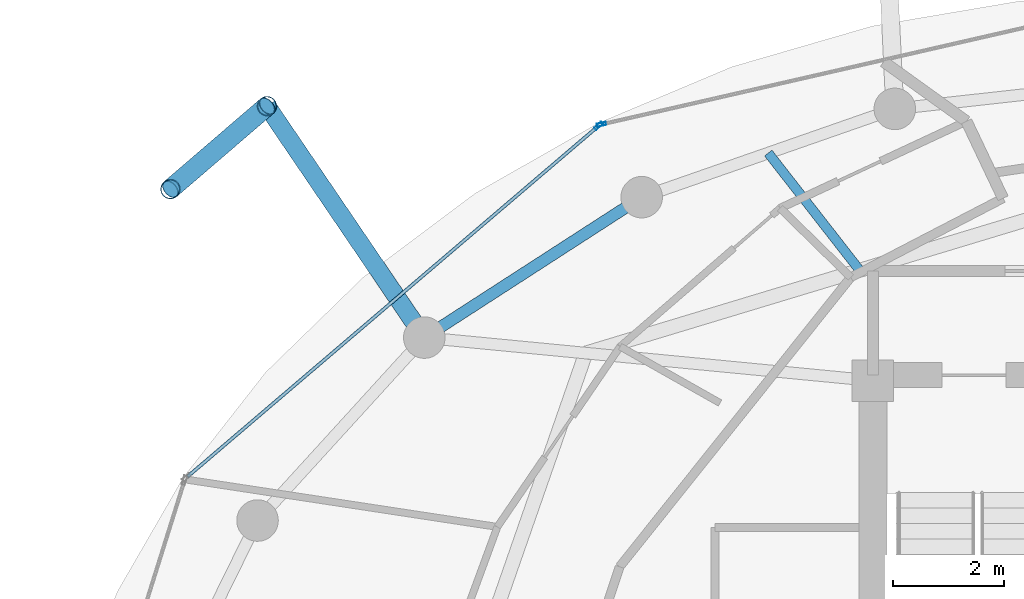
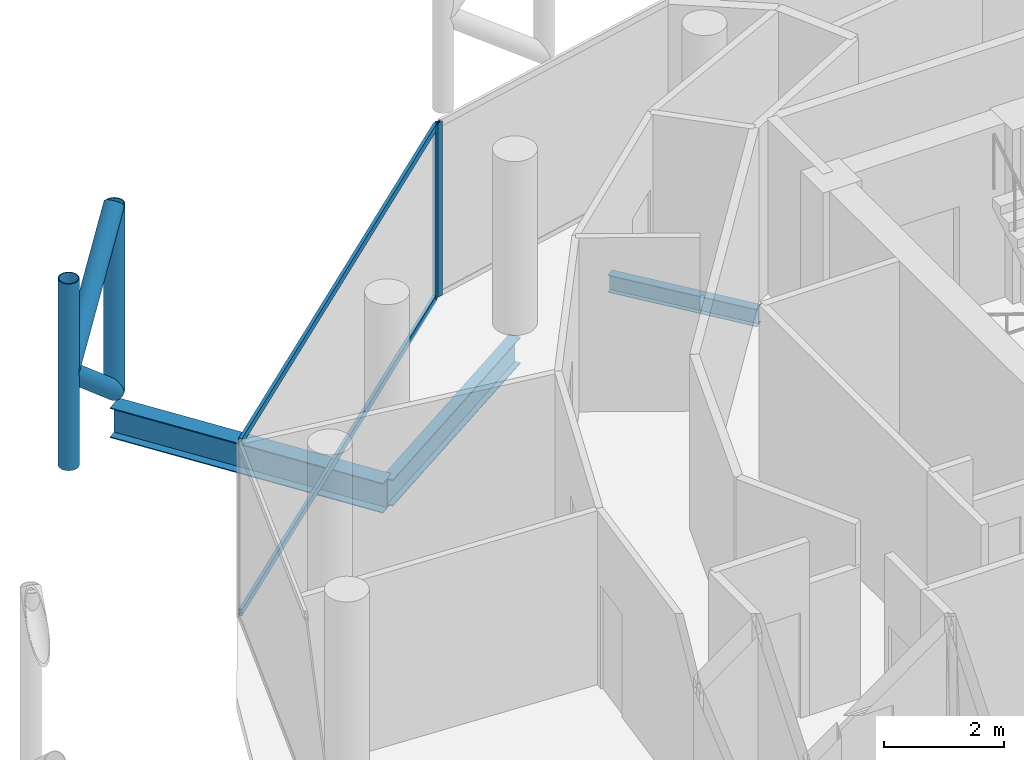
# One storey, part 15 of 24: 8 members, 3 beams, 2 elements without a shape of their own.
"""IFC4 building model written with IfcOpenShell, lengths in metres."""

from ifc_helpers import new_model, si_unit, direction, frame, origin, origin_2d, place, context, subcontext, project, spatial, hollow_rectangle, hollow_circle, i_section, extrude, material, layer, layer_set, material_profile, profile_set, type_object, element, aggregate, save


model = new_model("IFC4")

# Units and contexts
model_context = context("Model", 3, precision=1e-05, world=origin(), true_north=direction((0.0, 1.0)))
body_context = subcontext(model_context, "Body", "Model", "MODEL_VIEW")
ifc_project = project(units=[si_unit("LENGTHUNIT", "METRE"), si_unit("AREAUNIT", "SQUARE_METRE"), si_unit("VOLUMEUNIT", "CUBIC_METRE"), si_unit("PLANEANGLEUNIT", "RADIAN"), si_unit("MASSUNIT", "GRAM", prefix="KILO")], contexts=[model_context])

# Site, building, storey
site_placement = place(None, origin())
site = spatial("IfcSite", under=ifc_project, at=site_placement, CompositionType="ELEMENT")
building_placement = place(site_placement, origin())
building = spatial("IfcBuilding", under=site, at=building_placement, Name="Nuhasar Tower", CompositionType="ELEMENT")
storey_placement = place(building_placement, frame((0.0, 0.0, 286.0)))
storey = spatial("IfcBuildingStorey", under=building, at=storey_placement, Name="L71", CompositionType="ELEMENT", Elevation=286.0)

# Beams
ifc_material_1 = material(Name="Steel S355", Category="steel")
ifc_material_profile_1 = material_profile(ifc_material_1, i_section(OverallWidth=0.1708984375, OverallDepth=0.35205078125, WebThickness=0.0068359375, FlangeThickness=0.009765625, at=origin_2d()), Name="W14X30")
ifc_profile_set_1 = profile_set([ifc_material_profile_1], Name="Steel S355")
beam_type_1 = type_object("IfcBeamType", Name="BM-JST-W14X30", PredefinedType="JOIST", material=ifc_profile_set_1)
beam_1_placement = place(storey_placement, frame((33.4609375, 39.29296875, -0.43603515625), z_axis=(-0.614953767351, 0.788563164256, 0.0), x_axis=(-0.788563164256, -0.614953767351, 0.0)))
element("IfcBeam", 1, at=beam_1_placement, inside=storey, type_object=beam_type_1, Name="L71 Secondary Floor Joist 06", PredefinedType="JOIST", context=body_context, shape_type="SweptSolid", body=[
    extrude(i_section(OverallWidth=0.1708984375, OverallDepth=0.35205078125, WebThickness=0.0068359375, FlangeThickness=0.009765625, at=origin_2d()), origin(), (0.0, 0.0, 1.0), 2.6845703125),
])
ifc_material_profile_2 = material_profile(ifc_material_1, i_section(OverallWidth=0.2099609375, OverallDepth=0.537109375, WebThickness=0.010986328125, FlangeThickness=0.017333984375, at=origin_2d()), Name="W21X68")
ifc_profile_set_2 = profile_set([ifc_material_profile_2], Name="Steel S355")
beam_type_2 = type_object("IfcBeamType", Name="BM-RING-W21X68", PredefinedType="SPANDREL", material=ifc_profile_set_2)
beam_2_placement = place(storey_placement, frame((29.52490234375, 40.613037109375, -0.529052734375), z_axis=(-0.840001671147, -0.54258381147, 0.0), x_axis=(0.54258381147, -0.840001671147, 0.0)))
element("IfcBeam", 2, at=beam_2_placement, inside=storey, type_object=beam_type_2, Name="L71 Perimeter Ring Spandrel 09", PredefinedType="SPANDREL", context=body_context, shape_type="SweptSolid", body=[
    extrude(i_section(OverallWidth=0.2099609375, OverallDepth=0.537109375, WebThickness=0.010986328125, FlangeThickness=0.017333984375, at=origin_2d()), origin(), (0.0, 0.0, 1.0), 4.67236328125),
])
ifc_material_profile_3 = material_profile(ifc_material_1, i_section(OverallWidth=0.323974609375, OverallDepth=0.611083984375, WebThickness=0.0126953125, FlangeThickness=0.01904296875, at=origin_2d()), Name="W24X104")
ifc_profile_set_3 = profile_set([ifc_material_profile_3], Name="Steel S355")
beam_type_3 = type_object("IfcBeamType", Name="BM-TIE-W24X104", PredefinedType="BEAM", material=ifc_profile_set_3)
beam_3_placement = place(storey_placement, frame((25.60009765625, 38.077880859375, -0.56494140625), z_axis=(-0.562070792096, 0.827089127405, 0.0), x_axis=(-0.827089127405, -0.562070792096, 0.0)))
element("IfcBeam", 3, at=beam_3_placement, inside=storey, type_object=beam_type_3, Name="L71 Exoskeleton Node Tie Beam 05", PredefinedType="BEAM", context=body_context, shape_type="SweptSolid", body=[
    extrude(i_section(OverallWidth=0.323974609375, OverallDepth=0.611083984375, WebThickness=0.0126953125, FlangeThickness=0.01904296875, at=origin_2d()), origin(), (0.0, 0.0, 1.0), 5.052978515625),
])

# Curtain wall, member
ifc_material_2 = material(Name="Aluminium 6063-T6", Category="aluminium")
ifc_layer = layer(ifc_material_2, 0.18994140625)
ifc_layer_set = layer_set([ifc_layer], Name="Aluminium 6063-T6")
curtain_wall_type = type_object("IfcCurtainWallType", Name="CW-Z4-PEN", PredefinedType="NOTDEFINED", material=ifc_layer_set)
curtain_wall_1_placement = place(storey_placement, origin())
curtain_wall_1 = element("IfcCurtainWall", 4, at=curtain_wall_1_placement, inside=storey, type_object=curtain_wall_type, Name="L71 Unitised Curtain Wall 04", PredefinedType="NOTDEFINED")
ifc_material_profile_4 = material_profile(ifc_material_2, hollow_rectangle(XDim=0.06005859375, YDim=0.1650390625, WallThickness=0.0048828125, at=origin_2d()), Name="CWM-5")
ifc_profile_set_4 = profile_set([ifc_material_profile_4], Name="Aluminium 6063-T6")
member_type_1 = type_object("IfcMemberType", Name="CW-MUL-S5", PredefinedType="MULLION", material=ifc_profile_set_4)
member_1_placement = place(storey_placement, frame((28.79931640625, 41.927734375, 0.0), z_axis=(0.0, 0.0, 1.0), x_axis=(0.222889487645, -0.97484371891, 0.0)))
member_1 = element("IfcMember", 5, at=member_1_placement, type_object=member_type_1, Name="CW-Z4 mullion 2", PredefinedType="MULLION", context=body_context, shape_type="SweptSolid", body=[
    extrude(hollow_rectangle(XDim=0.06005859375, YDim=0.1650390625, WallThickness=0.0048828125, at=origin_2d()), origin(), (0.0, 0.0, 1.0), 3.5400390625),
])
aggregate(curtain_wall_1, [member_1])

# Curtain wall, members
curtain_wall_2_placement = place(storey_placement, origin())
curtain_wall_2 = element("IfcCurtainWall", 6, at=curtain_wall_2_placement, inside=storey, type_object=curtain_wall_type, Name="L71 Unitised Curtain Wall 05", PredefinedType="NOTDEFINED")
member_2_placement = place(storey_placement, frame((28.7470703125, 41.901611328125, 0.0), z_axis=(0.0, 0.0, 1.0), x_axis=(0.649141996205, -0.760667252327, 0.0)))
member_2 = element("IfcMember", 7, at=member_2_placement, type_object=member_type_1, Name="CW-Z4 mullion 1", PredefinedType="MULLION", context=body_context, shape_type="SweptSolid", body=[
    extrude(hollow_rectangle(XDim=0.06005859375, YDim=0.1650390625, WallThickness=0.0048828125, at=origin_2d()), origin(), (0.0, 0.0, 1.0), 3.5400390625),
])
ifc_material_profile_5 = material_profile(ifc_material_2, hollow_rectangle(XDim=0.06005859375, YDim=0.135009765625, WallThickness=0.00439453125, at=origin_2d()), Name="CWT-5")
ifc_profile_set_5 = profile_set([ifc_material_profile_5], Name="Aluminium 6063-T6")
member_type_2 = type_object("IfcMemberType", Name="CW-TRN-S5", PredefinedType="USERDEFINED", material=ifc_profile_set_5)
member_3_placement = place(storey_placement, frame((28.724365234375, 41.882080078125, 0.030029296875), z_axis=(-0.760660035709, -0.649150452573, 0.0), x_axis=(0.649150452573, -0.760660035709, 0.0)))
member_3 = element("IfcMember", 8, at=member_3_placement, type_object=member_type_2, Name="CW-Z4 transom 1.1", ObjectType="TRANSOM", PredefinedType="USERDEFINED", context=body_context, shape_type="SweptSolid", body=[
    extrude(hollow_rectangle(XDim=0.06005859375, YDim=0.135009765625, WallThickness=0.00439453125, at=origin_2d()), origin(), (0.0, 0.0, 1.0), 9.725341796875),
])
member_4_placement = place(storey_placement, frame((28.724365234375, 41.882080078125, 3.510009765625), z_axis=(-0.760660035709, -0.649150452573, 0.0), x_axis=(0.649150452573, -0.760660035709, 0.0)))
member_4 = element("IfcMember", 9, at=member_4_placement, type_object=member_type_2, Name="CW-Z4 transom 1.2", ObjectType="TRANSOM", PredefinedType="USERDEFINED", context=body_context, shape_type="SweptSolid", body=[
    extrude(hollow_rectangle(XDim=0.06005859375, YDim=0.135009765625, WallThickness=0.00439453125, at=origin_2d()), origin(), (0.0, 0.0, 1.0), 9.725341796875),
])
aggregate(curtain_wall_2, [member_2, member_3, member_4])

# Members
ifc_material_3 = material(Name="Steel S460", Category="steel")
ifc_material_profile_6 = material_profile(ifc_material_3, hollow_circle(Radius=0.177734375, WallThickness=0.015869140625, at=origin_2d()), Name="HSS355.6X15.9")
ifc_profile_set_6 = profile_set([ifc_material_profile_6], Name="Steel S460")
member_type_3 = type_object("IfcMemberType", Name="EXO-BRONZE-356", PredefinedType="BRACE", material=ifc_profile_set_6)
for number, where, z_axis, x_axis, name in (
    (10, (22.760009765625, 42.257080078125, 0.0), (0.0, 0.0, 1.0), (1.0, 0.0, 0.0), "L71 Exoskeleton Chord Column EC-05A"),
    (11, (21.01611328125, 40.758056640625, 0.0), (0.0, 0.0, 1.0), (1.0, 0.0, 0.0), "L71 Exoskeleton Chord Column EC-05B"),
):
    element("IfcMember", number, at=place(storey_placement, frame(where, z_axis=z_axis, x_axis=x_axis)), inside=storey, type_object=member_type_3, Name=name, PredefinedType="BRACE", context=body_context, shape_type="SweptSolid", body=[
        extrude(hollow_circle(Radius=0.177734375, WallThickness=0.015869140625, at=origin_2d()), origin(), (0.0, 0.0, 1.0), 3.800048828125),
    ])
member_5_placement = place(storey_placement, frame((22.760009765625, 42.257080078125, 0.0), z_axis=(-0.584625223306, -0.502533791278, 0.636924749792), x_axis=(0.65185738425, -0.758341579104, 0.0)))
element("IfcMember", 12, at=member_5_placement, inside=storey, type_object=member_type_3, Name="L71 Bronze Diagrid Brace W1-05", PredefinedType="BRACE", context=body_context, shape_type="SweptSolid", body=[
    extrude(hollow_circle(Radius=0.177734375, WallThickness=0.015869140625, at=origin_2d()), origin(), (0.0, 0.0, 1.0), 2.98291015625),
])
member_6_placement = place(storey_placement, frame((21.01611328125, 40.758056640625, 1.89990234375), z_axis=(0.584594747408, 0.50250759472, 0.636973389203), x_axis=(-0.65185738425, 0.758341579104, 0.0)))
element("IfcMember", 13, at=member_6_placement, inside=storey, type_object=member_type_3, Name="L71 Bronze Diagrid Brace W2-05", PredefinedType="BRACE", context=body_context, shape_type="SweptSolid", body=[
    extrude(hollow_circle(Radius=0.177734375, WallThickness=0.015869140625, at=origin_2d()), origin(), (0.0, 0.0, 1.0), 2.983154296875),
])

save(model, "model.ifc")
